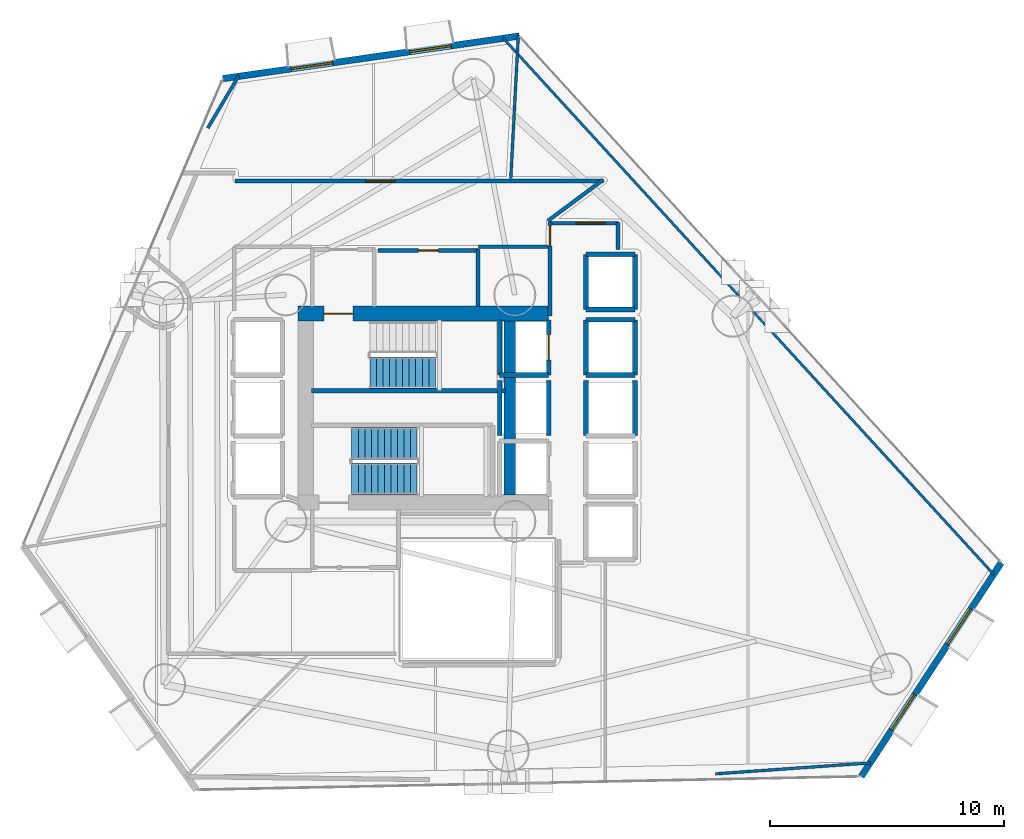
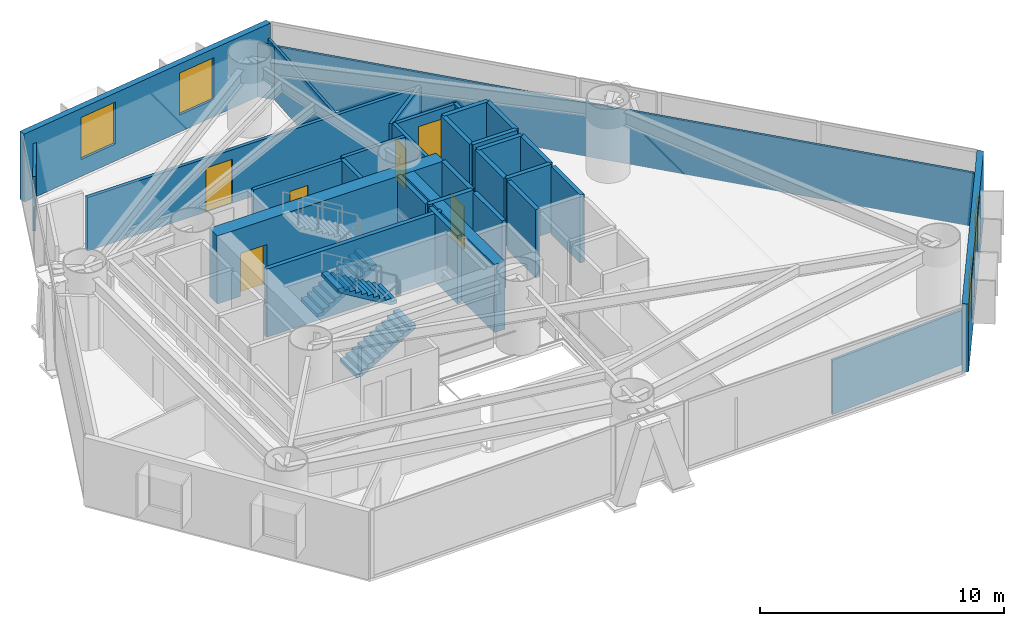
# One storey, part 18 of 22: 32 walls, 6 doors, 4 windows, 3 stair flights, 10 openings, 2 elements without a shape of their own.
"""IFC4 building model written with IfcOpenShell, lengths in metres."""

from ifc_helpers import new_model, si_unit, direction, frame, frame_2d, origin, place, context, subcontext, project, spatial, polyline, rectangle, outline, extrude, material, layer, layer_set, type_object, element, fill, aggregate, save


model = new_model("IFC4")

# Units and contexts
model_context = context("Model", 3, precision=1e-05, world=origin(), true_north=direction((0.0, 1.0)))
body_context = subcontext(model_context, "Body", "Model", "MODEL_VIEW")
ifc_project = project(units=[si_unit("LENGTHUNIT", "METRE"), si_unit("AREAUNIT", "SQUARE_METRE"), si_unit("VOLUMEUNIT", "CUBIC_METRE"), si_unit("PLANEANGLEUNIT", "RADIAN"), si_unit("MASSUNIT", "GRAM", prefix="KILO")], contexts=[model_context])

# Site, building, storey
site_placement = place(None, origin())
site = spatial("IfcSite", under=ifc_project, at=site_placement, CompositionType="ELEMENT")
building_placement = place(site_placement, origin())
building = spatial("IfcBuilding", under=site, at=building_placement, Name="Qianvela Tower", CompositionType="ELEMENT")
storey_placement = place(building_placement, frame((0.0, 0.0, 44.199951171875)))
storey = spatial("IfcBuildingStorey", under=building, at=storey_placement, Name="L10", CompositionType="ELEMENT", Elevation=44.199951171875)

# Wall, openings, windows
ifc_material_1 = material(Name="Terracotta Cladding on Concrete C40", Category="masonry")
ifc_layer_1 = layer(ifc_material_1, 0.280029296875)
ifc_layer_set_1 = layer_set([ifc_layer_1], Name="Terracotta Cladding on Concrete C40")
wall_type_1 = type_object("IfcWallType", Name="TERRACOTTA-WALL-280", PredefinedType="SOLIDWALL", material=ifc_layer_set_1)
wall_1_placement = place(storey_placement, frame((53.23291015625, 12.927978515625, 0.0), z_axis=(0.0, 0.0, 1.0), x_axis=(0.547893793864, 0.836547900986, 0.0)))
wall_1 = element("IfcWall", 1, at=wall_1_placement, inside=storey, type_object=wall_type_1, Name="L10 Terracotta Chamfer Facet Wall 1", PredefinedType="SOLIDWALL", context=body_context, shape_type="SweptSolid", body=[
    extrude(rectangle(XDim=10.939453125, YDim=0.280029296875, at=frame_2d((5.4697265625, 0.0))), origin(), (0.0, 0.0, 1.0), 3.400146484375),
])
opening_1_placement = place(wall_1_placement, frame((2.3818359375, 0.0, 0.85009765625)))
opening_1 = element("IfcOpeningElement", 2, at=opening_1_placement, cuts=wall_1, Name="Opening W-01", PredefinedType="OPENING", context=body_context, shape_type="SweptSolid", body=[
    extrude(rectangle(XDim=1.800048828125, YDim=2.10009765625, at=frame_2d((0.89990234375, 1.050048828125))), frame((0.0, 0.14990234375, 0.0), z_axis=(0.0, -1.0, 0.0), x_axis=(1.0, 0.0, 0.0)), (0.0, 0.0, 1.0), 0.300048828125),
])
opening_2_placement = place(wall_1_placement, frame((6.7578125, 0.0, 0.85009765625)))
opening_2 = element("IfcOpeningElement", 3, at=opening_2_placement, cuts=wall_1, Name="Opening W-01", PredefinedType="OPENING", context=body_context, shape_type="SweptSolid", body=[
    extrude(rectangle(XDim=1.800048828125, YDim=2.10009765625, at=frame_2d((0.89990234375, 1.050048828125))), frame((0.0, 0.14990234375, 0.0), z_axis=(0.0, -1.0, 0.0), x_axis=(1.0, 0.0, 0.0)), (0.0, 0.0, 1.0), 0.300048828125),
])
ifc_material_2 = material(Name="Thermally Broken Aluminium and Low-E Glass", Category="aluminium")
window_type = type_object("IfcWindowType", Name="WIN-TC-1800x2100", PartitioningType="DOUBLE_PANEL_VERTICAL", PredefinedType="WINDOW", material=ifc_material_2)
window_1_placement = place(opening_1_placement, origin())
window_1 = element("IfcWindow", 4, at=window_1_placement, inside=storey, type_object=window_type, Name="L10 Chamfer Facet Window 1.1", OverallHeight=2.10009765625, OverallWidth=1.800048828125, PartitioningType="SINGLE_PANEL", PredefinedType="WINDOW", context=body_context, shape_type="SweptSolid", body=[
    extrude(rectangle(XDim=1.800048828125, YDim=2.10009765625, at=frame_2d((0.89990234375, 1.050048828125))), frame((0.0, 0.030029296875, 0.0), z_axis=(0.0, -1.0, 0.0), x_axis=(1.0, 0.0, 0.0)), (0.0, 0.0, 1.0), 0.06005859375),
])
fill(opening_1, window_1)
window_2_placement = place(opening_2_placement, origin())
window_2 = element("IfcWindow", 5, at=window_2_placement, inside=storey, type_object=window_type, Name="L10 Chamfer Facet Window 1.2", OverallHeight=2.10009765625, OverallWidth=1.800048828125, PartitioningType="SINGLE_PANEL", PredefinedType="WINDOW", context=body_context, shape_type="SweptSolid", body=[
    extrude(rectangle(XDim=1.800048828125, YDim=2.10009765625, at=frame_2d((0.89990234375, 1.050048828125))), frame((0.0, 0.030029296875, 0.0), z_axis=(0.0, -1.0, 0.0), x_axis=(1.0, 0.0, 0.0)), (0.0, 0.0, 1.0), 0.06005859375),
])
fill(opening_2, window_2)

wall_2_placement = place(storey_placement, frame((38.5986328125, 44.632568359375, 0.0), z_axis=(0.0, 0.0, 1.0), x_axis=(-0.98980966225, -0.142396743348, 0.0)))
wall_2 = element("IfcWall", 6, at=wall_2_placement, inside=storey, type_object=wall_type_1, Name="L10 Terracotta Chamfer Facet Wall 3", PredefinedType="SOLIDWALL", context=body_context, shape_type="SweptSolid", body=[
    extrude(rectangle(XDim=12.824462890625, YDim=0.280029296875, at=frame_2d((6.412109375, 0.0))), origin(), (0.0, 0.0, 1.0), 3.400146484375),
])
opening_3_placement = place(wall_2_placement, frame((2.947265625, 0.0, 0.85009765625)))
opening_3 = element("IfcOpeningElement", 7, at=opening_3_placement, cuts=wall_2, Name="Opening W-01", PredefinedType="OPENING", context=body_context, shape_type="SweptSolid", body=[
    extrude(rectangle(XDim=1.800048828125, YDim=2.10009765625, at=frame_2d((0.89990234375, 1.050048828125))), frame((0.0, 0.14990234375, 0.0), z_axis=(0.0, -1.0, 0.0), x_axis=(1.0, 0.0, 0.0)), (0.0, 0.0, 1.0), 0.300048828125),
])
opening_4_placement = place(wall_2_placement, frame((8.0771484375, 0.0, 0.85009765625)))
opening_4 = element("IfcOpeningElement", 8, at=opening_4_placement, cuts=wall_2, Name="Opening W-01", PredefinedType="OPENING", context=body_context, shape_type="SweptSolid", body=[
    extrude(rectangle(XDim=1.800048828125, YDim=2.10009765625, at=frame_2d((0.89990234375, 1.050048828125))), frame((0.0, 0.14990234375, 0.0), z_axis=(0.0, -1.0, 0.0), x_axis=(1.0, 0.0, 0.0)), (0.0, 0.0, 1.0), 0.300048828125),
])
window_3_placement = place(opening_3_placement, origin())
window_3 = element("IfcWindow", 9, at=window_3_placement, inside=storey, type_object=window_type, Name="L10 Chamfer Facet Window 3.1", OverallHeight=2.10009765625, OverallWidth=1.800048828125, PartitioningType="SINGLE_PANEL", PredefinedType="WINDOW", context=body_context, shape_type="SweptSolid", body=[
    extrude(rectangle(XDim=1.800048828125, YDim=2.10009765625, at=frame_2d((0.89990234375, 1.050048828125))), frame((0.0, 0.030029296875, 0.0), z_axis=(0.0, -1.0, 0.0), x_axis=(1.0, 0.0, 0.0)), (0.0, 0.0, 1.0), 0.06005859375),
])
fill(opening_3, window_3)
window_4_placement = place(opening_4_placement, origin())
window_4 = element("IfcWindow", 10, at=window_4_placement, inside=storey, type_object=window_type, Name="L10 Chamfer Facet Window 3.2", OverallHeight=2.10009765625, OverallWidth=1.800048828125, PartitioningType="SINGLE_PANEL", PredefinedType="WINDOW", context=body_context, shape_type="SweptSolid", body=[
    extrude(rectangle(XDim=1.800048828125, YDim=2.10009765625, at=frame_2d((0.89990234375, 1.050048828125))), frame((0.0, 0.030029296875, 0.0), z_axis=(0.0, -1.0, 0.0), x_axis=(1.0, 0.0, 0.0)), (0.0, 0.0, 1.0), 0.06005859375),
])
fill(opening_4, window_4)

# Wall, opening, door
ifc_material_3 = material(Name="Concrete C60", Category="concrete")
ifc_layer_2 = layer(ifc_material_3, 0.64990234375)
ifc_layer_set_2 = layer_set([ifc_layer_2], Name="Concrete C60")
wall_type_2 = type_object("IfcWallType", Name="WT-CORE-650", PredefinedType="SHEAR", material=ifc_layer_set_2)
wall_3_placement = place(storey_placement, frame((29.1298828125, 32.7451171875, 0.0), z_axis=(0.0, 0.0, 1.0), x_axis=(1.0, 0.0, 0.0)))
wall_3 = element("IfcWall", 11, at=wall_3_placement, inside=storey, type_object=wall_type_2, Name="L10 North Core Shear Wall", PredefinedType="SHEAR", context=body_context, shape_type="SweptSolid", body=[
    extrude(rectangle(XDim=10.72021484375, YDim=0.64990234375, at=frame_2d((5.360107421875, 0.0))), origin(), (0.0, 0.0, 1.0), 3.400146484375),
])
opening_5_placement = place(wall_3_placement, frame((1.094970703125, 0.0, 0.0)))
opening_5 = element("IfcOpeningElement", 12, at=opening_5_placement, cuts=wall_3, Name="Opening D-ST1", PredefinedType="OPENING", context=body_context, shape_type="SweptSolid", body=[
    extrude(rectangle(XDim=1.25, YDim=2.14990234375, at=frame_2d((0.625, 1.074951171875))), frame((0.0, 0.3349609375, 0.0), z_axis=(0.0, -1.0, 0.0), x_axis=(1.0, 0.0, 0.0)), (0.0, 0.0, 1.0), 0.669921875),
])
ifc_material_4 = material(Name="Galvanised Fire Steel Q355B", Category="steel")
door_type_1 = type_object("IfcDoorType", Name="DT-STAIR-FD90", OperationType="NOTDEFINED", PredefinedType="DOOR", material=ifc_material_4)
door_1_placement = place(opening_5_placement, origin())
door_1 = element("IfcDoor", 13, at=door_1_placement, inside=storey, type_object=door_type_1, Name="L10 Stair ST-1 Exit Door", OperationType="SINGLE_SWING_RIGHT", OverallHeight=2.14990234375, OverallWidth=1.25, PredefinedType="DOOR", context=body_context, shape_type="SweptSolid", body=[
    extrude(rectangle(XDim=1.25, YDim=2.14990234375, at=frame_2d((0.625, 1.074951171875))), frame((0.0, 0.02490234375, 0.0), z_axis=(0.0, -1.0, 0.0), x_axis=(1.0, 0.0, 0.0)), (0.0, 0.0, 1.0), 0.050048828125),
])
fill(opening_5, door_1)

# Wall
wall_4_placement = place(storey_placement, frame((38.179931640625, 24.97998046875, 0.0), z_axis=(0.0, 0.0, 1.0), x_axis=(0.0, 1.0, 0.0)))
element("IfcWall", 14, at=wall_4_placement, inside=storey, type_object=wall_type_2, Name="L10 East Spine Core Shear Wall", PredefinedType="SHEAR", context=body_context, shape_type="SweptSolid", body=[
    extrude(rectangle(XDim=7.43994140625, YDim=0.5, at=frame_2d((3.719970703125, 0.0))), origin(), (0.0, 0.0, 1.0), 3.400146484375),
])

# Wall, opening, door
ifc_material_5 = material(Name="Fire-Rated Gypsum and Concrete Block", Category="concrete")
ifc_layer_3 = layer(ifc_material_5, 0.159912109375)
ifc_layer_set_3 = layer_set([ifc_layer_3], Name="Fire-Rated Gypsum and Concrete Block")
wall_type_3 = type_object("IfcWallType", Name="WT-CORR-160", PredefinedType="PARTITIONING", material=ifc_layer_set_3)
wall_5_placement = place(storey_placement, frame((39.910888671875, 32.639892578125, 0.0), z_axis=(0.0, 0.0, 1.0), x_axis=(0.0, 1.0, 0.0)))
wall_5 = element("IfcWall", 15, at=wall_5_placement, inside=storey, type_object=wall_type_3, Name="L10 Partition 10", PredefinedType="PARTITIONING", context=body_context, shape_type="SweptSolid", body=[
    extrude(rectangle(XDim=4.010009765625, YDim=0.159912109375, at=frame_2d((2.0048828125, 0.0))), origin(), (0.0, 0.0, 1.0), 2.719970703125),
])
opening_6_placement = place(wall_5_placement, frame((3.010009765625, 0.0, 0.0)))
opening_6 = element("IfcOpeningElement", 16, at=opening_6_placement, cuts=wall_5, Name="Opening D-LB2", PredefinedType="OPENING", context=body_context, shape_type="SweptSolid", body=[
    extrude(rectangle(XDim=0.860107421875, YDim=2.050048828125, at=frame_2d((0.43017578125, 1.02490234375))), frame((0.0, 0.08984375, 0.0), z_axis=(0.0, -1.0, 0.0), x_axis=(1.0, 0.0, 0.0)), (0.0, 0.0, 1.0), 0.179931640625),
])
ifc_material_6 = material(Name="Insulated Steel Fire Door Q355B", Category="steel")
door_type_2 = type_object("IfcDoorType", Name="DT-LOBBY-FD90-860", OperationType="NOTDEFINED", PredefinedType="DOOR", material=ifc_material_6)
door_2_placement = place(opening_6_placement, origin())
door_2 = element("IfcDoor", 17, at=door_2_placement, inside=storey, type_object=door_type_2, Name="L10 Door L10 Lift Lobby to L10 Floor Corridor", OperationType="SINGLE_SWING_RIGHT", OverallHeight=2.050048828125, OverallWidth=0.860107421875, PredefinedType="DOOR", context=body_context, shape_type="SweptSolid", body=[
    extrude(rectangle(XDim=0.860107421875, YDim=2.050048828125, at=frame_2d((0.43017578125, 1.02490234375))), frame((0.0, 0.02490234375, 0.0), z_axis=(0.0, -1.0, 0.0), x_axis=(1.0, 0.0, 0.0)), (0.0, 0.0, 1.0), 0.050048828125),
])
fill(opening_6, door_2)

wall_6_placement = place(storey_placement, frame((39.8798828125, 36.618896484375, 0.0), z_axis=(0.0, 0.0, 1.0), x_axis=(1.0, 0.0, 0.0)))
wall_6 = element("IfcWall", 18, at=wall_6_placement, inside=storey, type_object=wall_type_3, Name="L10 Partition 11", PredefinedType="PARTITIONING", context=body_context, shape_type="SweptSolid", body=[
    extrude(rectangle(XDim=2.97021484375, YDim=0.159912109375, at=frame_2d((1.485107421875, 0.0))), origin(), (0.0, 0.0, 1.0), 2.719970703125),
])
opening_7_placement = place(wall_6_placement, frame((1.139892578125, 0.0, 0.0)))
opening_7 = element("IfcOpeningElement", 19, at=opening_7_placement, cuts=wall_6, Name="Opening D-LG1", PredefinedType="OPENING", context=body_context, shape_type="SweptSolid", body=[
    extrude(rectangle(XDim=1.25, YDim=2.199951171875, at=frame_2d((0.625, 1.10009765625))), frame((0.0, 0.08984375, 0.0), z_axis=(0.0, -1.0, 0.0), x_axis=(1.0, 0.0, 0.0)), (0.0, 0.0, 1.0), 0.179931640625),
])
ifc_material_7 = material(Name="Anodised Aluminium Acoustic Glass Door", Category="aluminium")
door_type_3 = type_object("IfcDoorType", Name="DT-LOUNGE-1250", OperationType="NOTDEFINED", PredefinedType="DOOR", material=ifc_material_7)
door_3_placement = place(opening_7_placement, origin())
door_3 = element("IfcDoor", 20, at=door_3_placement, inside=storey, type_object=door_type_3, Name="L10 Door Quiet Reading Study L10-02 to L10 Lift Lobby", OperationType="SINGLE_SWING_RIGHT", OverallHeight=2.199951171875, OverallWidth=1.25, PredefinedType="DOOR", context=body_context, shape_type="SweptSolid", body=[
    extrude(rectangle(XDim=1.25, YDim=2.199951171875, at=frame_2d((0.625, 1.10009765625))), frame((0.0, 0.02490234375, 0.0), z_axis=(0.0, -1.0, 0.0), x_axis=(1.0, 0.0, 0.0)), (0.0, 0.0, 1.0), 0.050048828125),
])
fill(opening_7, door_3)

# Wall
wall_7_placement = place(storey_placement, frame((42.819091796875, 36.64990234375, 0.0), z_axis=(0.0, 0.0, 1.0), x_axis=(0.0, -1.0, 0.0)))
element("IfcWall", 21, at=wall_7_placement, inside=storey, type_object=wall_type_3, Name="L10 Partition 12", PredefinedType="PARTITIONING", context=body_context, shape_type="SweptSolid", body=[
    extrude(rectangle(XDim=1.169921875, YDim=0.159912109375, at=frame_2d((0.5849609375, 0.0))), origin(), (0.0, 0.0, 1.0), 2.719970703125),
])

# Wall, opening, door
wall_8_placement = place(storey_placement, frame((26.419921875, 38.4189453125, 0.0), z_axis=(0.0, 0.0, 1.0), x_axis=(1.0, 0.0, 0.0)))
wall_8 = element("IfcWall", 22, at=wall_8_placement, inside=storey, type_object=wall_type_3, Name="L10 Partition 39", PredefinedType="PARTITIONING", context=body_context, shape_type="SweptSolid", body=[
    extrude(rectangle(XDim=15.783203125, YDim=0.159912109375, at=frame_2d((7.8916015625, 0.0))), origin(), (0.0, 0.0, 1.0), 2.677978515625),
])
opening_8_placement = place(wall_8_placement, frame((5.593017578125, 0.0, 0.0)))
opening_8 = element("IfcOpeningElement", 23, at=opening_8_placement, cuts=wall_8, Name="Opening D-LG1", PredefinedType="OPENING", context=body_context, shape_type="SweptSolid", body=[
    extrude(rectangle(XDim=1.25, YDim=2.199951171875, at=frame_2d((0.625, 1.10009765625))), frame((0.0, 0.08984375, 0.0), z_axis=(0.0, -1.0, 0.0), x_axis=(1.0, 0.0, 0.0)), (0.0, 0.0, 1.0), 0.179931640625),
])
door_4_placement = place(opening_8_placement, origin())
door_4 = element("IfcDoor", 24, at=door_4_placement, inside=storey, type_object=door_type_3, Name="L10 Door Panoramic Study Lounge L10-03 to L10 Floor Corridor", OperationType="SINGLE_SWING_LEFT", OverallHeight=2.199951171875, OverallWidth=1.25, PredefinedType="DOOR", context=body_context, shape_type="SweptSolid", body=[
    extrude(rectangle(XDim=1.25, YDim=2.199951171875, at=frame_2d((0.625, 1.10009765625))), frame((0.0, 0.02490234375, 0.0), z_axis=(0.0, -1.0, 0.0), x_axis=(1.0, 0.0, 0.0)), (0.0, 0.0, 1.0), 0.050048828125),
])
fill(opening_8, door_4)

# Walls
wall_9_placement = place(storey_placement, frame((42.1845703125, 38.474853515625, 0.0), z_axis=(0.0, 0.0, 1.0), x_axis=(-0.802818467394, -0.596223538961, 0.0)))
element("IfcWall", 25, at=wall_9_placement, inside=storey, type_object=wall_type_3, Name="L10 Partition 40", PredefinedType="PARTITIONING", context=body_context, shape_type="SweptSolid", body=[
    extrude(rectangle(XDim=2.953125, YDim=0.159912109375, at=frame_2d((1.4765625, 0.0))), origin(), (0.0, 0.0, 1.0), 2.677978515625),
])
wall_10_placement = place(storey_placement, frame((39.818115234375, 35.611083984375, 0.0), z_axis=(0.0, 0.0, 1.0), x_axis=(-1.0, 0.0, 0.0)))
element("IfcWall", 26, at=wall_10_placement, inside=storey, type_object=wall_type_3, Name="L10 Partition 42 seg 1", PredefinedType="PARTITIONING", context=body_context, shape_type="SweptSolid", body=[
    extrude(rectangle(XDim=2.968017578125, YDim=0.159912109375, at=frame_2d((1.48388671875, 0.0))), origin(), (0.0, 0.0, 1.0), 2.719970703125),
])
ifc_material_8 = material(Name="Lightweight Gypsum Room Partition")
ifc_layer_4 = layer(ifc_material_8, 0.10498046875)
ifc_layer_set_4 = layer_set([ifc_layer_4], Name="Lightweight Gypsum Room Partition")
wall_type_4 = type_object("IfcWallType", Name="WT-PART-105", PredefinedType="PARTITIONING", material=ifc_layer_set_4)
wall_11_placement = place(storey_placement, frame((37.8955078125, 44.548095703125, 0.0), z_axis=(0.0, 0.0, 1.0), x_axis=(0.674902776071, -0.737906662697, 0.0)))
element("IfcWall", 27, at=wall_11_placement, inside=storey, type_object=wall_type_4, Name="L10 Partition 69", PredefinedType="PARTITIONING", context=body_context, shape_type="SweptSolid", body=[
    extrude(rectangle(XDim=31.1435546875, YDim=0.10498046875, at=frame_2d((15.57177734375, 0.0))), origin(), (0.0, 0.0, 1.0), 2.677978515625),
])
ifc_material_9 = material(Name="Insulated Gypsum Stud Partition")
ifc_layer_5 = layer(ifc_material_9, 0.1201171875)
ifc_layer_set_5 = layer_set([ifc_layer_5], Name="Insulated Gypsum Stud Partition")
wall_type_5 = type_object("IfcWallType", Name="WT-PART-120", PredefinedType="PARTITIONING", material=ifc_layer_set_5)
wall_12_placement = place(storey_placement, frame((38.229736328125, 38.5283203125, 0.0), z_axis=(0.0, 0.0, 1.0), x_axis=(0.052330816284, 0.998629804115, 0.0)))
element("IfcWall", 28, at=wall_12_placement, inside=storey, type_object=wall_type_5, Name="L10 Partition 68", PredefinedType="PARTITIONING", context=body_context, shape_type="SweptSolid", body=[
    extrude(rectangle(XDim=6.12548828125, YDim=0.1201171875, at=frame_2d((3.062744140625, 0.0))), origin(), (0.0, 0.0, 1.0), 2.677978515625),
])
wall_13_placement = place(storey_placement, frame((53.635009765625, 13.511962890625, 0.0), z_axis=(0.0, 0.0, 1.0), x_axis=(-0.997510918081, -0.070512185541, 0.0)))
element("IfcWall", 29, at=wall_13_placement, inside=storey, type_object=wall_type_5, Name="L10 Partition 71 seg 1", PredefinedType="PARTITIONING", context=body_context, shape_type="SweptSolid", body=[
    extrude(rectangle(XDim=6.658203125, YDim=0.1201171875, at=frame_2d((3.3291015625, 0.0))), origin(), (0.0, 0.0, 1.0), 2.719970703125),
])

# Wall, opening, door
ifc_material_10 = material(Name="Moisture-Resistant Acoustic Plumbing Wall")
ifc_layer_6 = layer(ifc_material_10, 0.175048828125)
ifc_layer_set_6 = layer_set([ifc_layer_6], Name="Moisture-Resistant Acoustic Plumbing Wall")
wall_type_6 = type_object("IfcWallType", Name="WT-PLUMB-175", PredefinedType="PLUMBINGWALL", material=ifc_layer_set_6)
wall_14_placement = place(storey_placement, frame((32.550048828125, 35.448974609375, 0.0), z_axis=(0.0, 0.0, 1.0), x_axis=(1.0, 0.0, 0.0)))
wall_14 = element("IfcWall", 30, at=wall_14_placement, inside=storey, type_object=wall_type_6, Name="L10 Partition 20", PredefinedType="PLUMBINGWALL", context=body_context, shape_type="SweptSolid", body=[
    extrude(rectangle(XDim=4.300048828125, YDim=0.175048828125, at=frame_2d((2.14990234375, 0.0))), origin(), (0.0, 0.0, 1.0), 2.719970703125),
])
opening_9_placement = place(wall_14_placement, frame((1.719970703125, 0.0, 0.0)))
opening_9 = element("IfcOpeningElement", 31, at=opening_9_placement, cuts=wall_14, Name="Opening D-WC1", PredefinedType="OPENING", context=body_context, shape_type="SweptSolid", body=[
    extrude(rectangle(XDim=0.860107421875, YDim=2.050048828125, at=frame_2d((0.43017578125, 1.02490234375))), frame((0.0, 0.097412109375, 0.0), z_axis=(0.0, -1.0, 0.0), x_axis=(1.0, 0.0, 0.0)), (0.0, 0.0, 1.0), 0.195068359375),
])
ifc_material_11 = material(Name="Moisture-Sealed Acoustic Timber Door", Category="wood")
door_type_4 = type_object("IfcDoorType", Name="DT-WC-860", OperationType="NOTDEFINED", PredefinedType="DOOR", material=ifc_material_11)
door_5_placement = place(opening_9_placement, origin())
door_5 = element("IfcDoor", 32, at=door_5_placement, inside=storey, type_object=door_type_4, Name="L10 Door L10 Accessible WC to L10 Floor Corridor", OperationType="SINGLE_SWING_LEFT", OverallHeight=2.050048828125, OverallWidth=0.860107421875, PredefinedType="DOOR", context=body_context, shape_type="SweptSolid", body=[
    extrude(rectangle(XDim=0.860107421875, YDim=2.050048828125, at=frame_2d((0.43017578125, 1.02490234375))), frame((0.0, 0.02490234375, 0.0), z_axis=(0.0, -1.0, 0.0), x_axis=(1.0, 0.0, 0.0)), (0.0, 0.0, 1.0), 0.050048828125),
])
fill(opening_9, door_5)

# Walls
wall_15_placement = place(storey_placement, frame((36.819091796875, 35.47998046875, 0.0), z_axis=(0.0, 0.0, 1.0), x_axis=(0.0, -1.0, 0.0)))
element("IfcWall", 33, at=wall_15_placement, inside=storey, type_object=wall_type_6, Name="L10 Partition 21", PredefinedType="PLUMBINGWALL", context=body_context, shape_type="SweptSolid", body=[
    extrude(rectangle(XDim=2.421875, YDim=0.175048828125, at=frame_2d((1.2109375, 0.0))), origin(), (0.0, 0.0, 1.0), 2.719970703125),
])
ifc_material_12 = material(Name="Acoustic Double Gypsum Stud Partition")
ifc_layer_7 = layer(ifc_material_12, 0.139892578125)
ifc_layer_set_7 = layer_set([ifc_layer_7], Name="Acoustic Double Gypsum Stud Partition")
wall_type_7 = type_object("IfcWallType", Name="WT-ROOM-140", PredefinedType="PARTITIONING", material=ifc_layer_set_7)
wall_16_placement = place(storey_placement, frame((25.258544921875, 40.689208984375, 0.0), z_axis=(0.0, 0.0, 1.0), x_axis=(0.509670804604, 0.860369496748, 0.0)))
element("IfcWall", 34, at=wall_16_placement, inside=storey, type_object=wall_type_7, Name="L10 Partition 76 seg 1", PredefinedType="PARTITIONING", context=body_context, shape_type="SweptSolid", body=[
    extrude(rectangle(XDim=2.593994140625, YDim=0.139892578125, at=frame_2d((1.296875, 0.0))), origin(), (0.0, 0.0, 1.0), 2.719970703125),
])
ifc_material_13 = material(Name="Concrete C50", Category="concrete")
ifc_layer_8 = layer(ifc_material_13, 0.199951171875)
ifc_layer_set_8 = layer_set([ifc_layer_8], Name="Concrete C50")
wall_type_8 = type_object("IfcWallType", Name="WT-SHAFT-200", PredefinedType="SOLIDWALL", material=ifc_layer_set_8)
wall_17_placement = place(storey_placement, frame((29.699951171875, 29.449951171875, 0.0), z_axis=(0.0, 0.0, 1.0), x_axis=(1.0, 0.0, 0.0)))
element("IfcWall", 35, at=wall_17_placement, inside=storey, type_object=wall_type_8, Name="L10 Stair ST-1 South Wall", PredefinedType="SOLIDWALL", context=body_context, shape_type="SweptSolid", body=[
    extrude(rectangle(XDim=8.300048828125, YDim=0.199951171875, at=frame_2d((4.14990234375, 0.0))), origin(), (0.0, 0.0, 1.0), 3.400146484375),
])

# Wall, opening, door
wall_18_placement = place(storey_placement, frame((39.85009765625, 30.1201171875, 0.0), z_axis=(0.0, 0.0, 1.0), x_axis=(0.0, 1.0, 0.0)))
wall_18 = element("IfcWall", 36, at=wall_18_placement, inside=storey, type_object=wall_type_8, Name="L10 Lift FL-1 E Shaft Wall", PredefinedType="SOLIDWALL", context=body_context, shape_type="SweptSolid", body=[
    extrude(rectangle(XDim=2.35986328125, YDim=0.199951171875, at=frame_2d((1.179931640625, 0.0))), origin(), (0.0, 0.0, 1.0), 3.400146484375),
])
opening_10_placement = place(wall_18_placement, frame((0.6298828125, 0.0, 0.0)))
opening_10 = element("IfcOpeningElement", 37, at=opening_10_placement, cuts=wall_18, Name="Opening LD-01", PredefinedType="OPENING", context=body_context, shape_type="SweptSolid", body=[
    extrude(rectangle(XDim=1.10009765625, YDim=2.14990234375, at=frame_2d((0.550048828125, 1.074951171875))), frame((0.0, 0.10986328125, 0.0), z_axis=(0.0, -1.0, 0.0), x_axis=(1.0, 0.0, 0.0)), (0.0, 0.0, 1.0), 0.219970703125),
])
ifc_material_14 = material(Name="Brushed Stainless Steel Lift Landing Door", Category="steel")
door_type_5 = type_object("IfcDoorType", Name="DT-LIFT-SLIDE-1100", OperationType="SLIDING_TO_LEFT", PredefinedType="DOOR", material=ifc_material_14)
door_6_placement = place(opening_10_placement, origin())
door_6 = element("IfcDoor", 38, at=door_6_placement, inside=storey, type_object=door_type_5, Name="L10 Lift FL-1 Sliding Landing Door", OperationType="SLIDING_TO_LEFT", OverallHeight=2.14990234375, OverallWidth=1.10009765625, PredefinedType="DOOR", context=body_context, shape_type="SweptSolid", body=[
    extrude(rectangle(XDim=1.10009765625, YDim=2.14990234375, at=frame_2d((0.550048828125, 1.074951171875))), frame((0.0, 0.02490234375, 0.0), z_axis=(0.0, -1.0, 0.0), x_axis=(1.0, 0.0, 0.0)), (0.0, 0.0, 1.0), 0.050048828125),
])
fill(opening_10, door_6)

# Walls
wall_19_placement = place(storey_placement, frame((37.75, 30.1201171875, 0.0), z_axis=(0.0, 0.0, 1.0), x_axis=(0.0, 1.0, 0.0)))
element("IfcWall", 39, at=wall_19_placement, inside=storey, type_object=wall_type_8, Name="L10 Lift FL-1 W Shaft Wall", PredefinedType="SOLIDWALL", context=body_context, shape_type="SweptSolid", body=[
    extrude(rectangle(XDim=2.35986328125, YDim=0.199951171875, at=frame_2d((1.179931640625, 0.0))), origin(), (0.0, 0.0, 1.0), 3.400146484375),
])
wall_20_placement = place(storey_placement, frame((37.75, 30.1201171875, 0.0), z_axis=(0.0, 0.0, 1.0), x_axis=(1.0, 0.0, 0.0)))
element("IfcWall", 40, at=wall_20_placement, inside=storey, type_object=wall_type_8, Name="L10 Lift FL-1 S Shaft Wall", PredefinedType="SOLIDWALL", context=body_context, shape_type="SweptSolid", body=[
    extrude(rectangle(XDim=2.10009765625, YDim=0.199951171875, at=frame_2d((1.050048828125, 0.0))), origin(), (0.0, 0.0, 1.0), 3.400146484375),
])
for number, where, z_axis, x_axis, name in (
    (41, (43.550048828125, 30.1201171875, 0.0), (0.0, 0.0, 1.0), (0.0, 1.0, 0.0), "L10 Lift PL-M1 E Shaft Wall"),
    (42, (41.449951171875, 30.1201171875, 0.0), (0.0, 0.0, 1.0), (0.0, 1.0, 0.0), "L10 Lift PL-M1 W Shaft Wall"),
):
    element("IfcWall", number, at=place(storey_placement, frame(where, z_axis=z_axis, x_axis=x_axis)), inside=storey, type_object=wall_type_8, Name=name, PredefinedType="SOLIDWALL", context=body_context, shape_type="SweptSolid", body=[
        extrude(rectangle(XDim=2.35986328125, YDim=0.199951171875, at=frame_2d((1.179931640625, 0.0))), origin(), (0.0, 0.0, 1.0), 3.400146484375),
    ])
for number, where, z_axis, x_axis, name in (
    (43, (41.449951171875, 32.47998046875, 0.0), (0.0, 0.0, 1.0), (1.0, 0.0, 0.0), "L10 Lift PL-M1 N Shaft Wall"),
    (44, (41.449951171875, 30.1201171875, 0.0), (0.0, 0.0, 1.0), (1.0, 0.0, 0.0), "L10 Lift PL-M1 S Shaft Wall"),
):
    element("IfcWall", number, at=place(storey_placement, frame(where, z_axis=z_axis, x_axis=x_axis)), inside=storey, type_object=wall_type_8, Name=name, PredefinedType="SOLIDWALL", context=body_context, shape_type="SweptSolid", body=[
        extrude(rectangle(XDim=2.10009765625, YDim=0.199951171875, at=frame_2d((1.050048828125, 0.0))), origin(), (0.0, 0.0, 1.0), 3.400146484375),
    ])
for number, where, z_axis, x_axis, name in (
    (45, (43.550048828125, 27.52001953125, 0.0), (0.0, 0.0, 1.0), (0.0, 1.0, 0.0), "L10 Lift PL-M2 E Shaft Wall"),
    (46, (41.449951171875, 27.52001953125, 0.0), (0.0, 0.0, 1.0), (0.0, 1.0, 0.0), "L10 Lift PL-M2 W Shaft Wall"),
    (47, (39.85009765625, 27.52001953125, 0.0), (0.0, 0.0, 1.0), (0.0, 1.0, 0.0), "L10 Lift PL-H1 E Shaft Wall"),
    (48, (37.75, 27.52001953125, 0.0), (0.0, 0.0, 1.0), (0.0, 1.0, 0.0), "L10 Lift PL-H1 W Shaft Wall"),
):
    element("IfcWall", number, at=place(storey_placement, frame(where, z_axis=z_axis, x_axis=x_axis)), inside=storey, type_object=wall_type_8, Name=name, PredefinedType="SOLIDWALL", context=body_context, shape_type="SweptSolid", body=[
        extrude(rectangle(XDim=2.35986328125, YDim=0.199951171875, at=frame_2d((1.179931640625, 0.0))), origin(), (0.0, 0.0, 1.0), 3.400146484375),
    ])
for number, where, z_axis, x_axis, name in (
    (49, (43.550048828125, 32.919921875, 0.0), (0.0, 0.0, 1.0), (0.0, 1.0, 0.0), "L10 Lift PL-H3 E Shaft Wall"),
    (50, (41.449951171875, 32.919921875, 0.0), (0.0, 0.0, 1.0), (0.0, 1.0, 0.0), "L10 Lift PL-H3 W Shaft Wall"),
):
    element("IfcWall", number, at=place(storey_placement, frame(where, z_axis=z_axis, x_axis=x_axis)), inside=storey, type_object=wall_type_8, Name=name, PredefinedType="SOLIDWALL", context=body_context, shape_type="SweptSolid", body=[
        extrude(rectangle(XDim=2.360107421875, YDim=0.199951171875, at=frame_2d((1.18017578125, 0.0))), origin(), (0.0, 0.0, 1.0), 3.400146484375),
    ])
for number, where, z_axis, x_axis, name in (
    (51, (41.449951171875, 35.280029296875, 0.0), (0.0, 0.0, 1.0), (1.0, 0.0, 0.0), "L10 Lift PL-H3 N Shaft Wall"),
    (52, (41.449951171875, 32.919921875, 0.0), (0.0, 0.0, 1.0), (1.0, 0.0, 0.0), "L10 Lift PL-H3 S Shaft Wall"),
):
    element("IfcWall", number, at=place(storey_placement, frame(where, z_axis=z_axis, x_axis=x_axis)), inside=storey, type_object=wall_type_8, Name=name, PredefinedType="SOLIDWALL", context=body_context, shape_type="SweptSolid", body=[
        extrude(rectangle(XDim=2.10009765625, YDim=0.199951171875, at=frame_2d((1.050048828125, 0.0))), origin(), (0.0, 0.0, 1.0), 3.400146484375),
    ])

# Stair, stair flight
ifc_material_15 = material(Name="Concrete C40", Category="concrete")
stair_type = type_object("IfcStairType", Name="ST-DOGLEG-1350-R168-N22", PredefinedType="HALF_TURN_STAIR", material=ifc_material_15)
stair_1_placement = place(storey_placement, origin())
stair_1 = element("IfcStair", 53, at=stair_1_placement, inside=storey, type_object=stair_type, Name="L10 Smoke-Proof Core Stair ST-1", PredefinedType="HALF_TURN_STAIR")
ifc_material_16 = material(Name="Concrete C40", Category="concrete")
stair_flight_type = type_object("IfcStairFlightType", Name="STF-STRAIGHT-R168-P11", PredefinedType="STRAIGHT", material=ifc_material_16)
stair_flight_1_placement = place(storey_placement, frame((32.199951171875, 30.215087890625, 0.0), z_axis=(0.0, 0.0, 1.0), x_axis=(1.0, 0.0, 0.0)))
stair_flight_1 = element("IfcStairFlight", 54, at=stair_flight_1_placement, type_object=stair_flight_type, Name="ST-1 flight 1", NumberOfRisers=11, NumberOfTreads=10, PredefinedType="STRAIGHT", RiserHeight=0.168181818, TreadLength=0.28, context=body_context, shape_type="SweptSolid", body=[
    extrude(outline(polyline([(0.0, 0.0), (0.0, 0.168212890625), (0.280029296875, 0.168212890625), (0.280029296875, 0.33642578125), (0.56005859375, 0.33642578125), (0.56005859375, 0.504638671875), (0.840087890625, 0.504638671875), (0.840087890625, 0.672607421875), (1.1201171875, 0.672607421875), (1.1201171875, 0.8408203125), (1.39990234375, 0.8408203125), (1.39990234375, 1.009033203125), (1.679931640625, 1.009033203125), (1.679931640625, 1.17724609375), (1.9599609375, 1.17724609375), (1.9599609375, 1.345458984375), (2.239990234375, 1.345458984375), (2.239990234375, 1.513671875), (2.52001953125, 1.513671875), (2.52001953125, 1.681884765625), (2.800048828125, 1.681884765625), (2.800048828125, 1.85009765625), (2.800048828125, 1.5068359375), (0.291015625, 0.0), (0.0, 0.0)])), frame((0.0, 0.675048828125, 0.0), z_axis=(0.0, -1.0, 0.0), x_axis=(1.0, 0.0, 0.0)), (0.0, 0.0, 1.0), 1.35009765625),
])
aggregate(stair_1, [stair_flight_1])

# Stair, stair flights
stair_2_placement = place(storey_placement, origin())
stair_2 = element("IfcStair", 55, at=stair_2_placement, inside=storey, type_object=stair_type, Name="L10 Smoke-Proof Core Stair ST-2", PredefinedType="HALF_TURN_STAIR")
stair_flight_2_placement = place(storey_placement, frame((31.419921875, 25.675048828125, 0.0), z_axis=(0.0, 0.0, 1.0), x_axis=(1.0, 0.0, 0.0)))
stair_flight_2 = element("IfcStairFlight", 56, at=stair_flight_2_placement, type_object=stair_flight_type, Name="ST-2 flight 1", NumberOfRisers=11, NumberOfTreads=10, PredefinedType="STRAIGHT", RiserHeight=0.168181818, TreadLength=0.28, context=body_context, shape_type="SweptSolid", body=[
    extrude(outline(polyline([(0.0, 0.0), (0.0, 0.168212890625), (0.280029296875, 0.168212890625), (0.280029296875, 0.33642578125), (0.56005859375, 0.33642578125), (0.56005859375, 0.504638671875), (0.840087890625, 0.504638671875), (0.840087890625, 0.672607421875), (1.1201171875, 0.672607421875), (1.1201171875, 0.8408203125), (1.39990234375, 0.8408203125), (1.39990234375, 1.009033203125), (1.679931640625, 1.009033203125), (1.679931640625, 1.17724609375), (1.9599609375, 1.17724609375), (1.9599609375, 1.345458984375), (2.239990234375, 1.345458984375), (2.239990234375, 1.513671875), (2.52001953125, 1.513671875), (2.52001953125, 1.681884765625), (2.800048828125, 1.681884765625), (2.800048828125, 1.85009765625), (2.800048828125, 1.5068359375), (0.291015625, 0.0), (0.0, 0.0)])), frame((0.0, 0.675048828125, 0.0), z_axis=(0.0, -1.0, 0.0), x_axis=(1.0, 0.0, 0.0)), (0.0, 0.0, 1.0), 1.35009765625),
])
stair_flight_3_placement = place(storey_placement, frame((34.219970703125, 27.18505859375, 1.85009765625), z_axis=(0.0, 0.0, 1.0), x_axis=(-1.0, 0.0, 0.0)))
stair_flight_3 = element("IfcStairFlight", 57, at=stair_flight_3_placement, type_object=stair_flight_type, Name="ST-2 flight 2", NumberOfRisers=11, NumberOfTreads=10, PredefinedType="STRAIGHT", RiserHeight=0.168181818, TreadLength=0.28, context=body_context, shape_type="SweptSolid", body=[
    extrude(outline(polyline([(0.0, 0.0), (0.0, 0.168212890625), (0.280029296875, 0.168212890625), (0.280029296875, 0.33642578125), (0.56005859375, 0.33642578125), (0.56005859375, 0.504638671875), (0.840087890625, 0.504638671875), (0.840087890625, 0.672607421875), (1.1201171875, 0.672607421875), (1.1201171875, 0.8408203125), (1.39990234375, 0.8408203125), (1.39990234375, 1.009033203125), (1.679931640625, 1.009033203125), (1.679931640625, 1.17724609375), (1.9599609375, 1.17724609375), (1.9599609375, 1.345458984375), (2.239990234375, 1.345458984375), (2.239990234375, 1.513671875), (2.52001953125, 1.513671875), (2.52001953125, 1.681884765625), (2.800048828125, 1.681884765625), (2.800048828125, 1.85009765625), (2.800048828125, 1.5068359375), (0.291015625, 0.0), (0.0, 0.0)])), frame((0.0, 0.675048828125, 0.0), z_axis=(0.0, -1.0, 0.0), x_axis=(1.0, 0.0, 0.0)), (0.0, 0.0, 1.0), 1.35009765625),
])
aggregate(stair_2, [stair_flight_2, stair_flight_3])

save(model, "model.ifc")
